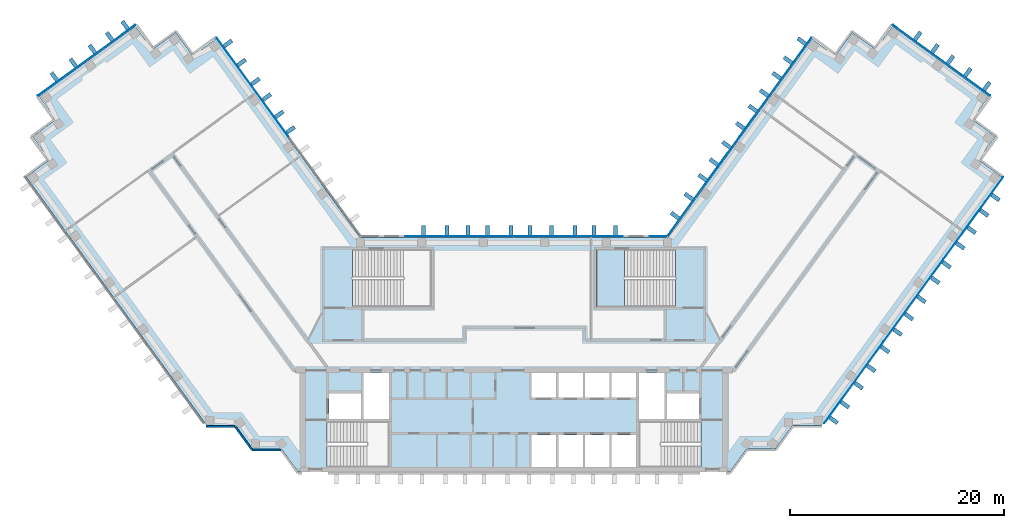
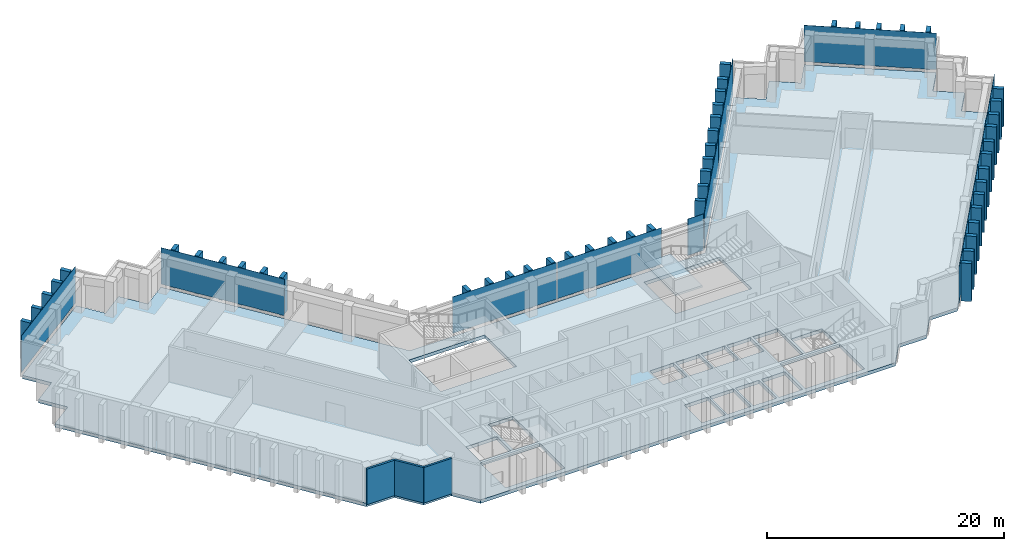
"""IFC4 building model written with IfcOpenShell, lengths in metres."""

from ifc_helpers import new_model, si_unit, direction, frame, frame_2d, origin, origin_2d, place, context, subcontext, project, spatial, polyline, rectangle, outline, extrude, material, layer, layer_set, type_object, element, aggregate, save


model = new_model("IFC4")

# Units and contexts
model_context = context("Model", 3, precision=1e-05, world=origin(), true_north=direction((0.0, 1.0)))
body_context = subcontext(model_context, "Body", "Model", "MODEL_VIEW")
ifc_project = project(units=[si_unit("LENGTHUNIT", "METRE"), si_unit("AREAUNIT", "SQUARE_METRE"), si_unit("VOLUMEUNIT", "CUBIC_METRE"), si_unit("PLANEANGLEUNIT", "RADIAN"), si_unit("MASSUNIT", "GRAM", prefix="KILO")], contexts=[model_context])

# Site, building, storey
site_placement = place(None, origin())
site = spatial("IfcSite", under=ifc_project, at=site_placement, CompositionType="ELEMENT")
building_placement = place(site_placement, origin())
building = spatial("IfcBuilding", under=site, at=building_placement, Name="Quipu Civic Tower", CompositionType="ELEMENT")
storey_1_placement = place(building_placement, frame((0.0, 0.0, 180.0)))
storey_1 = spatial("IfcBuildingStorey", under=building, at=storey_1_placement, Name="L42", CompositionType="ELEMENT", Elevation=180.0)

# Slab
ifc_material_1 = material(Name="Concrete C40/50", Category="concrete")
ifc_layer_1 = layer(ifc_material_1, 0.35009765625)
ifc_layer_set_1 = layer_set([ifc_layer_1], Name="Concrete C40/50")
slab_type_1 = type_object("IfcSlabType", Name="Floor slab 350 C40/50", PredefinedType="FLOOR", material=ifc_layer_set_1)
slab_1_placement = place(storey_1_placement, frame((0.0, 0.0, -0.35009765625)))
element("IfcSlab", 1, at=slab_1_placement, inside=storey_1, type_object=slab_type_1, Name="Floor slab L42", PredefinedType="FLOOR", context=body_context, shape_type="SweptSolid", body=[
    extrude(outline(polyline([(27.909912109375, 29.60498046875), (30.094970703125, 28.014892578125), (31.68505859375, 30.199951171875), (33.864990234375, 28.614990234375), (35.455078125, 30.800048828125), (44.514892578125, 24.215087890625), (42.929931640625, 22.030029296875), (45.114990234375, 20.445068359375), (43.52490234375, 18.260009765625), (45.7099609375, 16.669921875), (28.780029296875, -6.6298828125), (26.080078125, -6.6298828125), (24.489990234375, -8.81494140625), (21.7900390625, -8.81494140625), (20.205078125, -11.0), (-20.205078125, -11.0), (-21.7900390625, -8.81494140625), (-24.489990234375, -8.81494140625), (-26.080078125, -6.6298828125), (-28.780029296875, -6.6298828125), (-45.7099609375, 16.669921875), (-43.52490234375, 18.260009765625), (-45.114990234375, 20.445068359375), (-42.929931640625, 22.030029296875), (-44.514892578125, 24.215087890625), (-35.455078125, 30.800048828125), (-33.864990234375, 28.614990234375), (-31.68505859375, 30.199951171875), (-30.094970703125, 28.014892578125), (-27.909912109375, 29.60498046875), (-14.39501953125, 11.0), (14.39501953125, 11.0), (27.909912109375, 29.60498046875)]), holes=[polyline([(1.64990234375, -7.5), (1.64990234375, -10.5), (3.949951171875, -10.5), (3.949951171875, -7.5), (1.64990234375, -7.5)]), polyline([(4.14990234375, -7.5), (4.14990234375, -10.5), (6.449951171875, -10.5), (6.449951171875, -7.5), (4.14990234375, -7.5)]), polyline([(-11.705078125, -6.2548828125), (-17.4951171875, -6.2548828125), (-17.4951171875, -10.4951171875), (-11.705078125, -10.4951171875), (-11.705078125, -6.2548828125)]), polyline([(-17.35009765625, -3.60009765625), (-17.35009765625, -6.0), (-14.35009765625, -6.0), (-14.35009765625, -3.60009765625), (-17.35009765625, -3.60009765625)]), polyline([(-14.10009765625, -1.699951171875), (-14.10009765625, -6.0), (-11.699951171875, -6.0), (-11.699951171875, -1.699951171875), (-14.10009765625, -1.699951171875)]), polyline([(1.64990234375, -1.699951171875), (1.64990234375, -4.0), (3.949951171875, -4.0), (3.949951171875, -1.699951171875), (1.64990234375, -1.699951171875)]), polyline([(4.14990234375, -1.699951171875), (4.14990234375, -4.0), (6.449951171875, -4.0), (6.449951171875, -1.699951171875), (4.14990234375, -1.699951171875)]), polyline([(-7.7548828125, 9.844970703125), (-15.14501953125, 9.844970703125), (-15.14501953125, 4.5048828125), (-7.7548828125, 4.5048828125), (-7.7548828125, 9.844970703125)]), polyline([(6.64990234375, -7.5), (6.64990234375, -10.5), (8.949951171875, -10.5), (8.949951171875, -7.5), (6.64990234375, -7.5)]), polyline([(9.14990234375, -7.5), (9.14990234375, -10.5), (11.449951171875, -10.5), (11.449951171875, -7.5), (9.14990234375, -7.5)]), polyline([(11.705078125, -10.4951171875), (17.4951171875, -10.4951171875), (17.4951171875, -6.2548828125), (11.705078125, -6.2548828125), (11.705078125, -10.4951171875)]), polyline([(14.35009765625, -3.60009765625), (14.35009765625, -6.0), (17.35009765625, -6.0), (17.35009765625, -3.60009765625), (14.35009765625, -3.60009765625)]), polyline([(11.699951171875, -1.699951171875), (11.699951171875, -6.0), (14.10009765625, -6.0), (14.10009765625, -1.699951171875), (11.699951171875, -1.699951171875)]), polyline([(6.64990234375, -1.699951171875), (6.64990234375, -4.0), (8.949951171875, -4.0), (8.949951171875, -1.699951171875), (6.64990234375, -1.699951171875)]), polyline([(9.14990234375, -1.699951171875), (9.14990234375, -4.0), (11.449951171875, -4.0), (11.449951171875, -1.699951171875), (9.14990234375, -1.699951171875)]), polyline([(7.7548828125, 4.5048828125), (15.14501953125, 4.5048828125), (15.14501953125, 9.844970703125), (7.7548828125, 9.844970703125), (7.7548828125, 4.5048828125)])]), origin(), (0.0, 0.0, 1.0), 0.35009765625),
])

# Storey
storey_2_placement = place(building_placement, frame((0.0, 0.0, 184.0)))
storey_2 = spatial("IfcBuildingStorey", under=building, at=storey_2_placement, Name="L43", CompositionType="ELEMENT", Elevation=184.0)

# Curtain wall, plate
ifc_material_2 = material(Name="Insulated glass unit", Category="glass")
curtain_wall_type = type_object("IfcCurtainWallType", Name="Office curtain wall CW1", PredefinedType="NOTDEFINED", material=ifc_material_2)
curtain_wall_1_placement = place(storey_2_placement, origin())
curtain_wall_1 = element("IfcCurtainWall", 2, at=curtain_wall_1_placement, inside=storey_2, type_object=curtain_wall_type, Name="Office curtain wall CW1 L42 run 1", PredefinedType="NOTDEFINED")
ifc_material_3 = material(Name="Insulated glass unit", Category="glass")
ifc_layer_2 = layer(ifc_material_3, 0.028076171875)
ifc_layer_set_2 = layer_set([ifc_layer_2], Name="Insulated glass unit")
plate_type_1 = type_object("IfcPlateType", Name="Glass panel CW1", PredefinedType="CURTAIN_PANEL", material=ifc_layer_set_2)
plate_1_placement = place(storey_1_placement, frame((-24.491455078125, 25.066162109375, 0.240234375), z_axis=(0.0, 0.0, 1.0), x_axis=(-0.587788727052, 0.809014469803, 0.0)))
plate_1 = element("IfcPlate", 3, at=plate_1_placement, inside=storey_1, type_object=plate_type_1, Name="CW1 panel 2.1", PredefinedType="CURTAIN_PANEL", context=body_context, shape_type="SweptSolid", body=[
    extrude(rectangle(XDim=11.402099609375, YDim=0.028076171875, at=origin_2d()), origin(), (0.0, 0.0, 1.0), 3.760009765625),
])
aggregate(curtain_wall_1, [plate_1])

curtain_wall_2_placement = place(storey_2_placement, origin())
curtain_wall_2 = element("IfcCurtainWall", 4, at=curtain_wall_2_placement, inside=storey_2, type_object=curtain_wall_type, Name="Office curtain wall CW1 L42 run 6", PredefinedType="NOTDEFINED")
plate_2_placement = place(storey_1_placement, frame((-40.04345703125, 27.58740234375, 0.240234375), z_axis=(0.0, 0.0, 1.0), x_axis=(-0.809015176832, -0.587787753918, 0.0)))
plate_2 = element("IfcPlate", 5, at=plate_2_placement, inside=storey_1, type_object=plate_type_1, Name="CW1 panel 1.1", PredefinedType="CURTAIN_PANEL", context=body_context, shape_type="SweptSolid", body=[
    extrude(rectangle(XDim=11.239990234375, YDim=0.028076171875, at=origin_2d()), origin(), (0.0, 0.0, 1.0), 3.760009765625),
])
aggregate(curtain_wall_2, [plate_2])

# Curtain wall, plates
curtain_wall_3_placement = place(storey_2_placement, origin())
curtain_wall_3 = element("IfcCurtainWall", 6, at=curtain_wall_3_placement, inside=storey_2, type_object=curtain_wall_type, Name="Office curtain wall CW1 L42 run 20", PredefinedType="NOTDEFINED")
plate_3_placement = place(storey_1_placement, frame((31.824951171875, -2.60888671875, 0.240234375), z_axis=(0.0, 0.0, 1.0), x_axis=(0.5877856923, 0.80901667469, 0.0)))
plate_3 = element("IfcPlate", 7, at=plate_3_placement, inside=storey_1, type_object=plate_type_1, Name="CW1 panel 1.1", PredefinedType="CURTAIN_PANEL", context=body_context, shape_type="SweptSolid", body=[
    extrude(rectangle(XDim=9.43212890625, YDim=0.028076171875, at=origin_2d()), origin(), (0.0, 0.0, 1.0), 3.760009765625),
])
plate_4_placement = place(storey_1_placement, frame((37.427734375, 5.102783203125, 0.240234375), z_axis=(0.0, 0.0, 1.0), x_axis=(0.5877856923, 0.80901667469, 0.0)))
plate_4 = element("IfcPlate", 8, at=plate_4_placement, inside=storey_1, type_object=plate_type_1, Name="CW1 panel 2.1", PredefinedType="CURTAIN_PANEL", context=body_context, shape_type="SweptSolid", body=[
    extrude(rectangle(XDim=9.471923828125, YDim=0.028076171875, at=origin_2d()), origin(), (0.0, 0.0, 1.0), 3.760009765625),
])
plate_5_placement = place(storey_1_placement, frame((43.030517578125, 12.814208984375, 0.240234375), z_axis=(0.0, 0.0, 1.0), x_axis=(0.5877856923, 0.80901667469, 0.0)))
plate_5 = element("IfcPlate", 9, at=plate_5_placement, inside=storey_1, type_object=plate_type_1, Name="CW1 panel 3.1", PredefinedType="CURTAIN_PANEL", context=body_context, shape_type="SweptSolid", body=[
    extrude(rectangle(XDim=9.43212890625, YDim=0.028076171875, at=origin_2d()), origin(), (0.0, 0.0, 1.0), 3.760009765625),
])
aggregate(curtain_wall_3, [plate_3, plate_4, plate_5])

# Curtain wall, plate
curtain_wall_4_placement = place(storey_2_placement, origin())
curtain_wall_4 = element("IfcCurtainWall", 10, at=curtain_wall_4_placement, inside=storey_2, type_object=curtain_wall_type, Name="Office curtain wall CW1 L42 run 25", PredefinedType="NOTDEFINED")
plate_6_placement = place(storey_1_placement, frame((40.04345703125, 27.58740234375, 0.240234375), z_axis=(0.0, 0.0, 1.0), x_axis=(-0.809015176832, 0.587787753918, 0.0)))
plate_6 = element("IfcPlate", 11, at=plate_6_placement, inside=storey_1, type_object=plate_type_1, Name="CW1 panel 1.1", PredefinedType="CURTAIN_PANEL", context=body_context, shape_type="SweptSolid", body=[
    extrude(rectangle(XDim=11.239990234375, YDim=0.028076171875, at=origin_2d()), origin(), (0.0, 0.0, 1.0), 3.760009765625),
])
aggregate(curtain_wall_4, [plate_6])

# Curtain wall, plates
curtain_wall_5_placement = place(storey_2_placement, origin())
curtain_wall_5 = element("IfcCurtainWall", 12, at=curtain_wall_5_placement, inside=storey_2, type_object=curtain_wall_type, Name="Office curtain wall CW1 L42 run 30", PredefinedType="NOTDEFINED")
plate_7_placement = place(storey_1_placement, frame((24.491455078125, 25.066162109375, 0.240234375), z_axis=(0.0, 0.0, 1.0), x_axis=(-0.587788727052, -0.809014469803, 0.0)))
plate_7 = element("IfcPlate", 13, at=plate_7_placement, inside=storey_1, type_object=plate_type_1, Name="CW1 panel 1.1", PredefinedType="CURTAIN_PANEL", context=body_context, shape_type="SweptSolid", body=[
    extrude(rectangle(XDim=11.402099609375, YDim=0.028076171875, at=origin_2d()), origin(), (0.0, 0.0, 1.0), 3.760009765625),
])
plate_8_placement = place(storey_1_placement, frame((17.7421875, 15.777099609375, 0.240234375), z_axis=(0.0, 0.0, 1.0), x_axis=(-0.587788727052, -0.809014469803, 0.0)))
plate_8 = element("IfcPlate", 14, at=plate_8_placement, inside=storey_1, type_object=plate_type_1, Name="CW1 panel 2.1", PredefinedType="CURTAIN_PANEL", context=body_context, shape_type="SweptSolid", body=[
    extrude(rectangle(XDim=11.402099609375, YDim=0.028076171875, at=origin_2d()), origin(), (0.0, 0.0, 1.0), 3.760009765625),
])
aggregate(curtain_wall_5, [plate_7, plate_8])

# Curtain wall, plate
curtain_wall_6_placement = place(storey_2_placement, origin())
curtain_wall_6 = element("IfcCurtainWall", 15, at=curtain_wall_6_placement, inside=storey_2, type_object=curtain_wall_type, Name="Office curtain wall CW1 L42 run 31", PredefinedType="NOTDEFINED")
plate_9_placement = place(storey_1_placement, frame((13.49951171875, 11.10009765625, 0.240234375), z_axis=(0.0, 0.0, 1.0), x_axis=(-1.0, 0.0, 0.0)))
plate_9 = element("IfcPlate", 16, at=plate_9_placement, inside=storey_1, type_object=plate_type_1, Name="CW1 panel 1.1", PredefinedType="CURTAIN_PANEL", context=body_context, shape_type="SweptSolid", body=[
    extrude(rectangle(XDim=1.529296875, YDim=0.028076171875, at=origin_2d()), origin(), (0.0, 0.0, 1.0), 3.760009765625),
])
aggregate(curtain_wall_6, [plate_9])

# Curtain wall, plates
curtain_wall_7_placement = place(storey_2_placement, origin())
curtain_wall_7 = element("IfcCurtainWall", 17, at=curtain_wall_7_placement, inside=storey_2, type_object=curtain_wall_type, Name="Office curtain wall CW1 L42 run 33", PredefinedType="NOTDEFINED")
plate_10_placement = place(storey_1_placement, frame((5.11181640625, 11.10009765625, 0.240234375), z_axis=(0.0, 0.0, 1.0), x_axis=(-1.0, 0.0, 0.0)))
plate_10 = element("IfcPlate", 18, at=plate_10_placement, inside=storey_1, type_object=plate_type_1, Name="CW1 panel 1.1", PredefinedType="CURTAIN_PANEL", context=body_context, shape_type="SweptSolid", body=[
    extrude(rectangle(XDim=10.1435546875, YDim=0.028076171875, at=origin_2d()), origin(), (0.0, 0.0, 1.0), 3.760009765625),
])
plate_11_placement = place(storey_1_placement, frame((-5.11181640625, 11.10009765625, 0.240234375), z_axis=(0.0, 0.0, 1.0), x_axis=(-1.0, 0.0, 0.0)))
plate_11 = element("IfcPlate", 19, at=plate_11_placement, inside=storey_1, type_object=plate_type_1, Name="CW1 panel 2.1", PredefinedType="CURTAIN_PANEL", context=body_context, shape_type="SweptSolid", body=[
    extrude(rectangle(XDim=10.1435546875, YDim=0.028076171875, at=origin_2d()), origin(), (0.0, 0.0, 1.0), 3.760009765625),
])
aggregate(curtain_wall_7, [plate_10, plate_11])

# Plates
ifc_material_4 = material(Name="Precast concrete C40/50", Category="concrete")
plate_type_2 = type_object("IfcPlateType", Name="Precast fin F2", PredefinedType="SHEET", material=ifc_material_4)
for number, where, z_axis, x_axis, name in (
    (20, (-20.9169921875, 21.082275390625, 0.080078125), (0.0, 0.0, 1.0), (-0.587787133119, 0.809015627871, 0.0), "Precast fin F2 L42.1.6"),
    (21, (-21.974853515625, 22.538330078125, 0.080078125), (0.0, 0.0, 1.0), (-0.587787133119, 0.809015627871, 0.0), "Precast fin F2 L42.1.7"),
    (22, (-23.150390625, 24.156494140625, 0.080078125), (0.0, 0.0, 1.0), (-0.587787133119, 0.809015627871, 0.0), "Precast fin F2 L42.1.8"),
    (23, (-24.20849609375, 25.612548828125, 0.080078125), (0.0, 0.0, 1.0), (-0.587787133119, 0.809015627871, 0.0), "Precast fin F2 L42.1.9"),
    (24, (-25.501708984375, 27.392578125, 0.080078125), (0.0, 0.0, 1.0), (-0.587787133119, 0.809015627871, 0.0), "Precast fin F2 L42.1.10"),
    (25, (-26.794677734375, 29.17236328125, 0.080078125), (0.0, 0.0, 1.0), (-0.587787133119, 0.809015627871, 0.0), "Precast fin F2 L42.1.11"),
    (26, (-36.434814453125, 30.88916015625, 0.080078125), (0.0, 0.0, 1.0), (-0.809017072762, -0.587785144401, 0.0), "Precast fin F2 L42.6.1"),
    (27, (-37.89111328125, 29.8310546875, 0.080078125), (0.0, 0.0, 1.0), (-0.809017072762, -0.587785144401, 0.0), "Precast fin F2 L42.6.2"),
    (28, (-39.50927734375, 28.655517578125, 0.080078125), (0.0, 0.0, 1.0), (-0.809017072762, -0.587785144401, 0.0), "Precast fin F2 L42.6.3"),
    (29, (-41.2890625, 27.3623046875, 0.080078125), (0.0, 0.0, 1.0), (-0.809017072762, -0.587785144401, 0.0), "Precast fin F2 L42.6.4"),
    (30, (-43.06884765625, 26.0693359375, 0.080078125), (0.0, 0.0, 1.0), (-0.809017072762, -0.587785144401, 0.0), "Precast fin F2 L42.6.5"),
    (31, (29.944091796875, -6.133056640625, 0.080078125), (0.0, 0.0, 1.0), (0.587785620359, 0.809016726959, 0.0), "Precast fin F2 L42.20.1"),
    (32, (31.002197265625, -4.677001953125, 0.080078125), (0.0, 0.0, 1.0), (0.587785620359, 0.809016726959, 0.0), "Precast fin F2 L42.20.2"),
    (33, (32.29541015625, -2.89697265625, 0.080078125), (0.0, 0.0, 1.0), (0.587785620359, 0.809016726959, 0.0), "Precast fin F2 L42.20.3"),
    (34, (33.470947265625, -1.279052734375, 0.080078125), (0.0, 0.0, 1.0), (0.587785620359, 0.809016726959, 0.0), "Precast fin F2 L42.20.4"),
    (35, (34.763916015625, 0.500732421875, 0.080078125), (0.0, 0.0, 1.0), (0.587785620359, 0.809016726959, 0.0), "Precast fin F2 L42.20.5"),
    (36, (35.939697265625, 2.118896484375, 0.080078125), (0.0, 0.0, 1.0), (0.587785620359, 0.809016726959, 0.0), "Precast fin F2 L42.20.6"),
    (37, (36.99755859375, 3.5751953125, 0.080078125), (0.0, 0.0, 1.0), (0.587785620359, 0.809016726959, 0.0), "Precast fin F2 L42.20.7"),
    (38, (38.173095703125, 5.193115234375, 0.080078125), (0.0, 0.0, 1.0), (0.587785620359, 0.809016726959, 0.0), "Precast fin F2 L42.20.8"),
    (39, (39.46630859375, 6.972900390625, 0.080078125), (0.0, 0.0, 1.0), (0.587785620359, 0.809016726959, 0.0), "Precast fin F2 L42.20.9"),
    (40, (40.5244140625, 8.42919921875, 0.080078125), (0.0, 0.0, 1.0), (0.587785620359, 0.809016726959, 0.0), "Precast fin F2 L42.20.10"),
    (41, (41.8173828125, 10.208984375, 0.080078125), (0.0, 0.0, 1.0), (0.587785620359, 0.809016726959, 0.0), "Precast fin F2 L42.20.11"),
    (42, (42.87548828125, 11.665283203125, 0.080078125), (0.0, 0.0, 1.0), (0.587785620359, 0.809016726959, 0.0), "Precast fin F2 L42.20.12"),
    (43, (44.051025390625, 13.283203125, 0.080078125), (0.0, 0.0, 1.0), (0.587785620359, 0.809016726959, 0.0), "Precast fin F2 L42.20.13"),
    (44, (45.109130859375, 14.739501953125, 0.080078125), (0.0, 0.0, 1.0), (0.587785620359, 0.809016726959, 0.0), "Precast fin F2 L42.20.14"),
    (45, (44.298583984375, 25.17578125, 0.080078125), (0.0, 0.0, 1.0), (-0.809017072762, 0.587785144401, 0.0), "Precast fin F2 L42.25.1"),
    (46, (42.518798828125, 26.468994140625, 0.080078125), (0.0, 0.0, 1.0), (-0.809017072762, 0.587785144401, 0.0), "Precast fin F2 L42.25.2"),
    (47, (40.900634765625, 27.64453125, 0.080078125), (0.0, 0.0, 1.0), (-0.809017072762, 0.587785144401, 0.0), "Precast fin F2 L42.25.3"),
    (48, (39.444580078125, 28.70263671875, 0.080078125), (0.0, 0.0, 1.0), (-0.809017072762, 0.587785144401, 0.0), "Precast fin F2 L42.25.4"),
    (49, (37.826416015625, 29.878173828125, 0.080078125), (0.0, 0.0, 1.0), (-0.809017072762, 0.587785144401, 0.0), "Precast fin F2 L42.25.5"),
    (50, (26.95068359375, 29.386962890625, 0.080078125), (0.0, 0.0, 1.0), (-0.587787133119, -0.809015627871, 0.0), "Precast fin F2 L42.30.1"),
    (51, (25.657470703125, 27.607177734375, 0.080078125), (0.0, 0.0, 1.0), (-0.587787133119, -0.809015627871, 0.0), "Precast fin F2 L42.30.2"),
    (52, (24.599609375, 26.15087890625, 0.080078125), (0.0, 0.0, 1.0), (-0.587787133119, -0.809015627871, 0.0), "Precast fin F2 L42.30.3"),
    (53, (23.424072265625, 24.53271484375, 0.080078125), (0.0, 0.0, 1.0), (-0.587787133119, -0.809015627871, 0.0), "Precast fin F2 L42.30.4"),
    (54, (22.365966796875, 23.07666015625, 0.080078125), (0.0, 0.0, 1.0), (-0.587787133119, -0.809015627871, 0.0), "Precast fin F2 L42.30.5"),
    (55, (21.1904296875, 21.45849609375, 0.080078125), (0.0, 0.0, 1.0), (-0.587787133119, -0.809015627871, 0.0), "Precast fin F2 L42.30.6"),
    (56, (19.897216796875, 19.6787109375, 0.080078125), (0.0, 0.0, 1.0), (-0.587787133119, -0.809015627871, 0.0), "Precast fin F2 L42.30.7"),
    (57, (18.7216796875, 18.060791015625, 0.080078125), (0.0, 0.0, 1.0), (-0.587787133119, -0.809015627871, 0.0), "Precast fin F2 L42.30.8"),
    (58, (17.66357421875, 16.6044921875, 0.080078125), (0.0, 0.0, 1.0), (-0.587787133119, -0.809015627871, 0.0), "Precast fin F2 L42.30.9"),
    (59, (16.37060546875, 14.82470703125, 0.080078125), (0.0, 0.0, 1.0), (-0.587787133119, -0.809015627871, 0.0), "Precast fin F2 L42.30.10"),
    (60, (15.077392578125, 13.044677734375, 0.080078125), (0.0, 0.0, 1.0), (-0.587787133119, -0.809015627871, 0.0), "Precast fin F2 L42.30.11"),
    (61, (9.510009765625, 11.64990234375, 0.080078125), (0.0, 0.0, 1.0), (-1.0, 0.0, 0.0), "Precast fin F2 L42.33.1"),
    (62, (7.510009765625, 11.64990234375, 0.080078125), (0.0, 0.0, 1.0), (-1.0, 0.0, 0.0), "Precast fin F2 L42.33.2"),
    (63, (5.7099609375, 11.64990234375, 0.080078125), (0.0, 0.0, 1.0), (-1.0, 0.0, 0.0), "Precast fin F2 L42.33.3"),
    (64, (3.510009765625, 11.64990234375, 0.080078125), (0.0, 0.0, 1.0), (-1.0, 0.0, 0.0), "Precast fin F2 L42.33.4"),
    (65, (1.510009765625, 11.64990234375, 0.080078125), (0.0, 0.0, 1.0), (-1.0, 0.0, 0.0), "Precast fin F2 L42.33.5"),
    (66, (-0.2900390625, 11.64990234375, 0.080078125), (0.0, 0.0, 1.0), (-1.0, 0.0, 0.0), "Precast fin F2 L42.33.6"),
    (67, (-2.489990234375, 11.64990234375, 0.080078125), (0.0, 0.0, 1.0), (-1.0, 0.0, 0.0), "Precast fin F2 L42.33.7"),
    (68, (-4.2900390625, 11.64990234375, 0.080078125), (0.0, 0.0, 1.0), (-1.0, 0.0, 0.0), "Precast fin F2 L42.33.8"),
    (69, (-6.2900390625, 11.64990234375, 0.080078125), (0.0, 0.0, 1.0), (-1.0, 0.0, 0.0), "Precast fin F2 L42.33.9"),
    (70, (-8.489990234375, 11.64990234375, 0.080078125), (0.0, 0.0, 1.0), (-1.0, 0.0, 0.0), "Precast fin F2 L42.33.10"),
):
    element("IfcPlate", number, at=place(storey_1_placement, frame(where, z_axis=z_axis, x_axis=x_axis)), inside=storey_1, type_object=plate_type_2, Name=name, PredefinedType="SHEET", context=body_context, shape_type="SweptSolid", body=[
        extrude(rectangle(XDim=0.3798828125, YDim=0.89990234375, at=origin_2d()), origin(), (0.0, 0.0, 1.0), 3.919921875),
    ])

# Stair, slab
ifc_material_5 = material(Name="Concrete C40/50", Category="concrete")
stair_type = type_object("IfcStairType", Name="Half turn stair 2600", PredefinedType="HALF_TURN_STAIR", material=ifc_material_5)
stair_placement = place(storey_1_placement, origin())
stair = element("IfcStair", 71, at=stair_placement, inside=storey_1, type_object=stair_type, Name="Exit stair 4", PredefinedType="HALF_TURN_STAIR")
ifc_material_6 = material(Name="Concrete C40/50", Category="concrete")
ifc_layer_3 = layer(ifc_material_6, 0.199951171875)
ifc_layer_set_3 = layer_set([ifc_layer_3], Name="Concrete C40/50")
slab_type_2 = type_object("IfcSlabType", Name="Stair landing 200", PredefinedType="LANDING", material=ifc_layer_set_3)
slab_2_placement = place(storey_1_placement, frame((0.0, 0.0, 1.800048828125)))
slab_2 = element("IfcSlab", 72, at=slab_2_placement, type_object=slab_type_2, Name="ST-4 landing 1", PredefinedType="LANDING", context=body_context, shape_type="SweptSolid", body=[
    extrude(outline(polyline([(10.35009765625, 9.85009765625), (7.75, 9.85009765625), (7.75, 4.5), (10.35009765625, 4.5), (10.35009765625, 9.85009765625)])), origin(), (0.0, 0.0, 1.0), 0.199951171875),
])
aggregate(stair, [slab_2])

# Walls
ifc_material_7 = material(Name="Precast concrete C40/50", Category="concrete")
wall_type = type_object("IfcWallType", Name="Precast cladding wall", PredefinedType="SOLIDWALL", material=ifc_material_7)
wall_1_placement = place(storey_1_placement, frame((-28.829833984375, -6.71923828125, 0.0), z_axis=(0.0, 0.0, 1.0), x_axis=(1.0, 0.0, 0.0)))
element("IfcWall", 73, at=wall_1_placement, inside=storey_1, type_object=wall_type, Name="Precast cladding wall L42 9", PredefinedType="SOLIDWALL", context=body_context, shape_type="SweptSolid", body=[
    extrude(rectangle(XDim=2.699951171875, YDim=0.199951171875, at=frame_2d((1.35009765625, 0.0))), origin(), (0.0, 0.0, 1.0), 3.64990234375),
])
wall_2_placement = place(storey_1_placement, frame((-26.1201171875, -6.72412109375, 0.0), z_axis=(0.0, 0.0, 1.0), x_axis=(0.587720002413, -0.809064397168, 0.0)))
element("IfcWall", 74, at=wall_2_placement, inside=storey_1, type_object=wall_type, Name="Precast cladding wall L42 10", PredefinedType="SOLIDWALL", context=body_context, shape_type="SweptSolid", body=[
    extrude(rectangle(XDim=2.7001953125, YDim=0.199951171875, at=frame_2d((1.35009765625, 0.0))), origin(), (0.0, 0.0, 1.0), 3.64990234375),
])
wall_3_placement = place(storey_1_placement, frame((-24.542724609375, -8.90380859375, 0.0), z_axis=(0.0, 0.0, 1.0), x_axis=(1.0, 0.0, 0.0)))
element("IfcWall", 75, at=wall_3_placement, inside=storey_1, type_object=wall_type, Name="Precast cladding wall L42 11", PredefinedType="SOLIDWALL", context=body_context, shape_type="SweptSolid", body=[
    extrude(rectangle(XDim=2.699951171875, YDim=0.199951171875, at=frame_2d((1.35009765625, 0.0))), origin(), (0.0, 0.0, 1.0), 3.64990234375),
])

save(model, "model.ifc")
